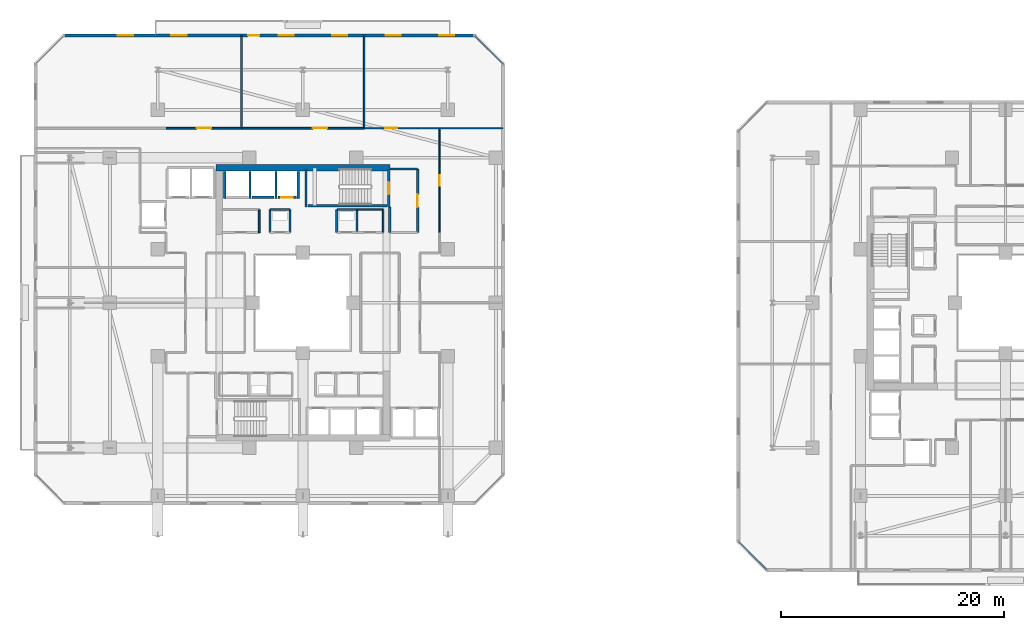
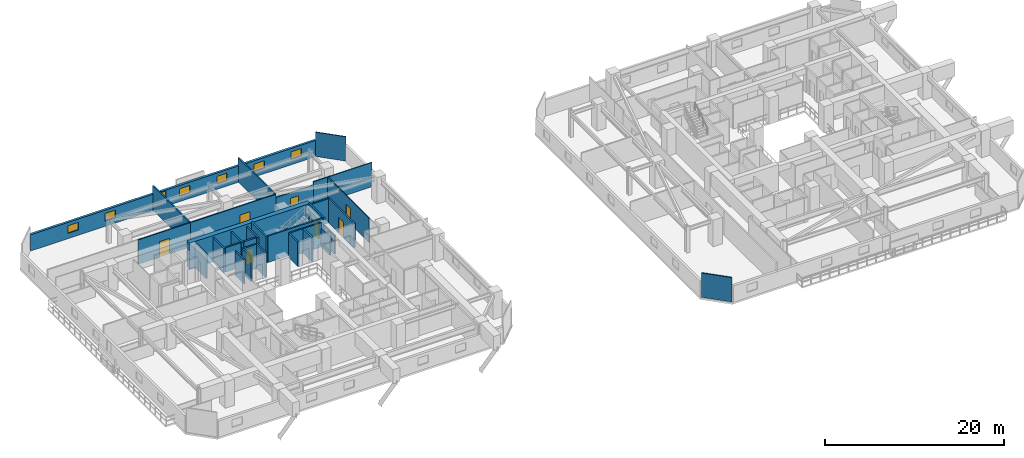
# One storey, part 24 of 36: 33 walls, 8 doors, 6 windows, 14 openings.
"""IFC4 building model written with IfcOpenShell, lengths in metres."""

import ifcopenshell
import ifcopenshell.guid

model = None  # the IFC model being written
_history = None  # IfcOwnerHistory: only IFC2X3 demands one
_inside = {}  # id of a spatial element -> (the spatial element, [elements in it])
_under = {}  # id of a project, library or spatial element -> (it, [spatial elements below it])
_declared = {}  # id of a project -> (the project, [libraries it declares])
_typed = {}  # id of a type object -> (the type object, [elements of that type])
_made_of = {}  # id of a material, layer set ... -> (it, [elements and type objects made of it])


def new_model(schema):
    """Start an empty IFC model of exactly this schema.

    Asked for "IFC4X3", IfcOpenShell would pick the latest addendum, in which some entities
    have other attributes; the version numbers below select the first issue.
    IFC2X3 requires an IfcOwnerHistory on every rooted entity: one is made here for all.
    """
    global model, _history
    if schema == "IFC4X3":
        model = ifcopenshell.file(schema_version=(4, 3, 0, 0))
    else:
        model = ifcopenshell.file(schema=schema)
    _inside.clear()
    _under.clear()
    _declared.clear()
    _typed.clear()
    _made_of.clear()
    _history = None
    if model.schema == "IFC2X3":
        org = make("IfcOrganization", Name="unknown")
        user = make(
            "IfcPersonAndOrganization",
            ThePerson=make("IfcPerson", FamilyName="unknown"),
            TheOrganization=org,
        )
        app = make(
            "IfcApplication",
            ApplicationDeveloper=org,
            Version="unknown",
            ApplicationFullName="unknown",
            ApplicationIdentifier="unknown",
        )
        _history = make(
            "IfcOwnerHistory",
            OwningUser=user,
            OwningApplication=app,
            ChangeAction="ADDED",
            CreationDate=0,
        )
    return model


def make(cls, **values):
    """One entity of the class cls with the attributes given. An attribute that is None is left unset."""
    return model.create_entity(
        cls, **{name: value for name, value in values.items() if value is not None}
    )


def rooted(cls, **values):
    """An entity with a GlobalId (a new one), such as an element, a storey or a relation."""
    return make(cls, GlobalId=ifcopenshell.guid.new(), OwnerHistory=_history, **values)


def si_unit(unit_type, name, prefix=None):
    """IfcSIUnit, for example si_unit("LENGTHUNIT", "METRE", prefix="MILLI")."""
    return make("IfcSIUnit", UnitType=unit_type, Prefix=prefix, Name=name)


def assignment(units):
    """IfcUnitAssignment: the units of a project."""
    return None if units is None else make("IfcUnitAssignment", Units=units)


def point(xyz):
    """IfcCartesianPoint."""
    return None if xyz is None else make("IfcCartesianPoint", Coordinates=xyz)


def direction(xyz):
    """IfcDirection."""
    return None if xyz is None else make("IfcDirection", DirectionRatios=xyz)


def frame(location, z_axis=None, x_axis=None):
    """IfcAxis2Placement3D, a coordinate frame: its origin and axes. An axis left out is left unset."""
    return make(
        "IfcAxis2Placement3D",
        Location=point(location),
        Axis=direction(z_axis),
        RefDirection=direction(x_axis),
    )


def frame_2d(location, x_axis=None):
    """IfcAxis2Placement2D, a coordinate frame in the plane: its origin and x axis."""
    return make(
        "IfcAxis2Placement2D", Location=point(location), RefDirection=direction(x_axis)
    )


def origin():
    """The frame at (0, 0, 0) with its axes left unset."""
    return frame((0.0, 0.0, 0.0))


def place(relative_to, where):
    """IfcLocalPlacement: puts the frame where relative to a parent placement (None: the world)."""
    return make(
        "IfcLocalPlacement", PlacementRelTo=relative_to, RelativePlacement=where
    )


def context(
    kind, dimensions, precision=None, world=None, true_north=None, identifier=None
):
    """IfcGeometricRepresentationContext, for example the 3D "Model" context."""
    return make(
        "IfcGeometricRepresentationContext",
        ContextIdentifier=identifier,
        ContextType=kind,
        CoordinateSpaceDimension=dimensions,
        Precision=precision,
        WorldCoordinateSystem=world,
        TrueNorth=true_north,
    )


def subcontext(parent, identifier, kind, view, scale=None):
    """IfcGeometricRepresentationSubContext, for example "Body" below "Model"."""
    return make(
        "IfcGeometricRepresentationSubContext",
        ContextIdentifier=identifier,
        ContextType=kind,
        ParentContext=parent,
        TargetScale=scale,
        TargetView=view,
    )


def project(units=None, contexts=None):
    """IfcProject with its units and contexts."""
    return rooted(
        "IfcProject",
        Name="project",
        RepresentationContexts=contexts,
        UnitsInContext=assignment(units),
    )


def spatial(cls, under=None, at=None, **own):
    """A site, building, storey or space (cls), placed at a placement, below another one or the project."""
    s = rooted(cls, ObjectPlacement=at, **own)
    if under is not None:
        _under.setdefault(under.id(), (under, []))[1].append(s)
    return s


def profile(cls, at=None, kind="AREA", **sizes):
    """A parametric profile (cls). Its sizes go by their IFC names, for example OverallWidth=200.0."""
    return make(cls, ProfileType=kind, Position=at, **sizes)


def rectangle(**sizes):
    """IfcRectangleProfileDef."""
    return profile("IfcRectangleProfileDef", **sizes)


def extrude(swept, where, along, depth):
    """IfcExtrudedAreaSolid: the profile swept, set in the frame where, extruded along a direction by depth."""
    return make(
        "IfcExtrudedAreaSolid",
        SweptArea=swept,
        Position=where,
        ExtrudedDirection=direction(along),
        Depth=depth,
    )


def shape(context_of_items, identifier, shape_type, items):
    """IfcShapeRepresentation: the items that make up one representation, for example the "Body"."""
    return make(
        "IfcShapeRepresentation",
        ContextOfItems=context_of_items,
        RepresentationIdentifier=identifier,
        RepresentationType=shape_type,
        Items=items,
    )


def material(Name=None, Category=None):
    """IfcMaterial."""
    return make("IfcMaterial", Name=Name, Category=Category)


def layer(
    of_material, thickness, ventilated=None, Name=None, Category=None, Priority=None
):
    """IfcMaterialLayer: one layer of a wall or slab, of a material (None: an air gap)."""
    return make(
        "IfcMaterialLayer",
        Material=of_material,
        LayerThickness=thickness,
        IsVentilated=ventilated,
        Name=Name,
        Category=Category,
        Priority=Priority,
    )


def layer_set(layers, Name=None):
    """IfcMaterialLayerSet."""
    return make("IfcMaterialLayerSet", MaterialLayers=layers, LayerSetName=Name)


def made_of(thing, what):
    """Note that an element or type object is made of a material, layer set ...; save() writes the relation."""
    if what is not None:
        _made_of.setdefault(what.id(), (what, []))[1].append(thing)
    return thing


def type_object(cls, material=None, **own):
    """A type object (cls), such as IfcWallType, which elements share."""
    return made_of(rooted(cls, **own), material)


def element(
    cls,
    number,
    at=None,
    inside=None,
    cuts=None,
    type_object=None,
    material=None,
    context=None,
    identifier="Body",
    shape_type=None,
    held_by="IfcProductDefinitionShape",
    body=None,
    shapes=None,
    **own,
):
    """One element of the class cls, such as IfcWall. Its Tag is "e" and its number.

    at: its placement. inside: the storey or other place that contains it. cuts: it is an
    opening in that element (IfcRelVoidsElement). A single representation is given by context,
    identifier, shape_type and body (its items); several are given by shapes. held_by: the class
    of the entity that holds the representations. save() writes the other relations.
    """
    e = rooted(cls, Tag="e%d" % number, ObjectPlacement=at, **own)
    if body is not None:
        shapes = [shape(context, identifier, shape_type, body)]
    if shapes is not None:
        e.Representation = make(held_by, Representations=shapes)
    if inside is not None:
        _inside.setdefault(inside.id(), (inside, []))[1].append(e)
    if cuts is not None:
        rooted(
            "IfcRelVoidsElement", RelatingBuildingElement=cuts, RelatedOpeningElement=e
        )
    if type_object is not None:
        _typed.setdefault(type_object.id(), (type_object, []))[1].append(e)
    return made_of(e, material)


def fill(opening, filler):
    """IfcRelFillsElement: the door or window that sits in an opening."""
    return rooted(
        "IfcRelFillsElement",
        RelatingOpeningElement=opening,
        RelatedBuildingElement=filler,
    )


def aggregate(whole, parts):
    """IfcRelAggregates: a whole, such as a stair, and the parts it consists of."""
    return rooted("IfcRelAggregates", RelatingObject=whole, RelatedObjects=parts)


def save(model, path):
    """Write the relations noted so far, then the file.

    IfcRelAggregates (storeys below a building ...), IfcRelContainedInSpatialStructure (elements
    in a storey), IfcRelDefinesByType, IfcRelAssociatesMaterial and IfcRelDeclares: one each for
    every whole, place, type object, material and project.
    """
    for whole, parts in _under.values():
        aggregate(whole, parts)
    for where, things in _inside.values():
        rooted(
            "IfcRelContainedInSpatialStructure",
            RelatedElements=things,
            RelatingStructure=where,
        )
    for kind, things in _typed.values():
        rooted("IfcRelDefinesByType", RelatedObjects=things, RelatingType=kind)
    for what, things in _made_of.values():
        rooted("IfcRelAssociatesMaterial", RelatedObjects=things, RelatingMaterial=what)
    for by, libraries in _declared.values():
        rooted("IfcRelDeclares", RelatingContext=by, RelatedDefinitions=libraries)
    model.write(path)


model = new_model("IFC4")

# Units and contexts
model_context = context("Model", 3, precision=1e-05, world=origin(), true_north=direction((0.0, 1.0)))
body_context = subcontext(model_context, "Body", "Model", "MODEL_VIEW")
ifc_project = project(units=[si_unit("LENGTHUNIT", "METRE"), si_unit("AREAUNIT", "SQUARE_METRE"), si_unit("VOLUMEUNIT", "CUBIC_METRE"), si_unit("PLANEANGLEUNIT", "RADIAN"), si_unit("MASSUNIT", "GRAM", prefix="KILO")], contexts=[model_context])

# Site, building, storey
site_placement = place(None, origin())
site = spatial("IfcSite", under=ifc_project, at=site_placement, CompositionType="ELEMENT")
building_placement = place(site_placement, origin())
building = spatial("IfcBuilding", under=site, at=building_placement, Name="Thornwick Lancets Civic Towers", CompositionType="ELEMENT")
storey_placement = place(building_placement, frame((0.0, 0.0, 116.10009765625)))
storey = spatial("IfcBuildingStorey", under=building, at=storey_placement, Name="L30", CompositionType="ELEMENT", Elevation=116.10009765625)

# Wall, opening, door
ifc_material_1 = material(Name="Concrete blockwork C40/50", Category="masonry")
ifc_layer_1 = layer(ifc_material_1, 0.199951171875, Name="Concrete blockwork C40/50")
ifc_layer_set_1 = layer_set([ifc_layer_1], Name="Concrete blockwork C40/50")
wall_type_1 = type_object("IfcWallType", Name="WALL_COMP_200", PredefinedType="STANDARD", material=ifc_layer_set_1)
wall_1_placement = place(storey_placement, frame((24.919921875, 36.449951171875, 0.0), z_axis=(0.0, 0.0, 1.0), x_axis=(-1.0, 0.0, 0.0)))
wall_1 = element("IfcWall", 1, at=wall_1_placement, inside=storey, type_object=wall_type_1, Name="L30 Hoistway Front Wall FL-A2", PredefinedType="STANDARD", context=body_context, shape_type="SweptSolid", body=[
    extrude(rectangle(XDim=1.639892578125, YDim=0.199951171875, at=frame_2d((0.81982421875, 0.0))), origin(), (0.0, 0.0, 1.0), 3.31982421875),
])
opening_1_placement = place(wall_1_placement, frame((0.31005859375, 0.0, 0.0)))
opening_1 = element("IfcOpeningElement", 2, at=opening_1_placement, cuts=wall_1, Name="Opening LD-FL-A2", PredefinedType="OPENING", context=body_context, shape_type="SweptSolid", body=[
    extrude(rectangle(XDim=1.02001953125, YDim=2.06005859375, at=frame_2d((0.510009765625, 1.030029296875))), frame((0.0, 0.10986328125, 0.0), z_axis=(0.0, -1.0, 0.0), x_axis=(1.0, 0.0, 0.0)), (0.0, 0.0, 1.0), 0.219970703125),
])
ifc_material_2 = material(Name="Brushed bronze stainless steel", Category="steel")
door_type_1 = type_object("IfcDoorType", Name="DOOR_LIFT_SLIDE", OperationType="SLIDING_TO_LEFT", PredefinedType="DOOR", material=ifc_material_2)
door_1_placement = place(opening_1_placement, origin())
door_1 = element("IfcDoor", 3, at=door_1_placement, inside=storey, type_object=door_type_1, Name="L30 Sliding Lift Landing Door LD-FL-A2", OperationType="SLIDING_TO_LEFT", OverallHeight=2.06005859375, OverallWidth=1.02001953125, PredefinedType="DOOR", context=body_context, shape_type="SweptSolid", body=[
    extrude(rectangle(XDim=1.02001953125, YDim=2.06005859375, at=frame_2d((0.510009765625, 1.030029296875))), frame((0.0, 0.02490234375, 0.0), z_axis=(0.0, -1.0, 0.0), x_axis=(1.0, 0.0, 0.0)), (0.0, 0.0, 1.0), 0.050048828125),
])
fill(opening_1, door_1)

# Walls
wall_2_placement = place(storey_placement, frame((22.919921875, 36.449951171875, 0.0), z_axis=(0.0, 0.0, 1.0), x_axis=(-1.0, 0.0, 0.0)))
element("IfcWall", 4, at=wall_2_placement, inside=storey, type_object=wall_type_1, Name="L30 Hoistway Front Wall PL-AH2", PredefinedType="STANDARD", context=body_context, shape_type="SweptSolid", body=[
    extrude(rectangle(XDim=1.989990234375, YDim=0.199951171875, at=frame_2d((0.9951171875, 0.0))), origin(), (0.0, 0.0, 1.0), 3.31982421875),
])
for number, where, z_axis, x_axis, name in (
    (5, (25.10009765625, 36.35205078125, 0.0), (0.0, 0.0, 1.0), (0.0, 1.0, 0.0), "L30 Hoistway Shaft Wall FL-A2 E"),
    (6, (23.10009765625, 36.35205078125, 0.0), (0.0, 0.0, 1.0), (0.0, 1.0, 0.0), "L30 Hoistway Shaft Wall FL-A2 W"),
    (7, (20.77490234375, 36.35205078125, 0.0), (0.0, 0.0, 1.0), (0.0, 1.0, 0.0), "L30 Hoistway Shaft Wall PL-AH2 W"),
    (8, (18.5, 36.35205078125, 0.0), (0.0, 0.0, 1.0), (0.0, 1.0, 0.0), "L30 Hoistway Shaft Wall PL-AH3 W"),
):
    element("IfcWall", number, at=place(storey_placement, frame(where, z_axis=z_axis, x_axis=x_axis)), inside=storey, type_object=wall_type_1, Name=name, PredefinedType="STANDARD", context=body_context, shape_type="SweptSolid", body=[
        extrude(rectangle(XDim=2.43603515625, YDim=0.199951171875, at=frame_2d((1.218017578125, 0.0))), origin(), (0.0, 0.0, 1.0), 3.31982421875),
    ])

# Wall, opening, door
wall_3_placement = place(storey_placement, frame((35.800048828125, 33.300048828125, 0.0), z_axis=(0.0, 0.0, 1.0), x_axis=(0.0, 1.0, 0.0)))
wall_3 = element("IfcWall", 9, at=wall_3_placement, inside=storey, type_object=wall_type_1, Name="L30 Partition L30-A-FFLOB2 E2", PredefinedType="STANDARD", context=body_context, shape_type="SweptSolid", body=[
    extrude(rectangle(XDim=5.699951171875, YDim=0.199951171875, at=frame_2d((2.85009765625, 0.0))), origin(), (0.0, 0.0, 1.0), 3.31982421875),
])
opening_2_placement = place(wall_3_placement, frame((2.27490234375, 0.0, 0.0)))
opening_2 = element("IfcOpeningElement", 10, at=opening_2_placement, cuts=wall_3, Name="Opening D-L30-1370", PredefinedType="OPENING", context=body_context, shape_type="SweptSolid", body=[
    extrude(rectangle(XDim=1.14990234375, YDim=2.10009765625, at=frame_2d((0.574951171875, 1.050048828125))), frame((0.0, 0.10986328125, 0.0), z_axis=(0.0, -1.0, 0.0), x_axis=(1.0, 0.0, 0.0)), (0.0, 0.0, 1.0), 0.219970703125),
])
ifc_material_3 = material(Name="Glazed fire-resisting steel", Category="steel")
door_type_2 = type_object("IfcDoorType", Name="DOOR_LOBBY_FD60", OperationType="NOTDEFINED", PredefinedType="DOOR", material=ifc_material_3)
door_2_placement = place(opening_2_placement, origin())
door_2 = element("IfcDoor", 11, at=door_2_placement, inside=storey, type_object=door_type_2, Name="L30 North Firefighting Lobby 2 Door", OperationType="SINGLE_SWING_LEFT", OverallHeight=2.10009765625, OverallWidth=1.14990234375, PredefinedType="DOOR", context=body_context, shape_type="SweptSolid", body=[
    extrude(rectangle(XDim=1.14990234375, YDim=2.10009765625, at=frame_2d((0.574951171875, 1.050048828125))), frame((0.0, 0.02490234375, 0.0), z_axis=(0.0, -1.0, 0.0), x_axis=(1.0, 0.0, 0.0)), (0.0, 0.0, 1.0), 0.050048828125),
])
fill(opening_2, door_2)

# Walls
wall_4_placement = place(storey_placement, frame((35.800048828125, 39.0, 0.0), z_axis=(0.0, 0.0, 1.0), x_axis=(-1.0, 0.0, 0.0)))
element("IfcWall", 12, at=wall_4_placement, inside=storey, type_object=wall_type_1, Name="L30 Partition L30-A-FFLOB2 E3", PredefinedType="STANDARD", context=body_context, shape_type="SweptSolid", body=[
    extrude(rectangle(XDim=2.5, YDim=0.199951171875, at=frame_2d((1.25, 0.0))), origin(), (0.0, 0.0, 1.0), 3.31982421875),
])
wall_5_placement = place(storey_placement, frame((33.300048828125, 35.60009765625, 0.0), z_axis=(0.0, 0.0, 1.0), x_axis=(0.0, -1.0, 0.0)))
element("IfcWall", 13, at=wall_5_placement, inside=storey, type_object=wall_type_1, Name="L30 Partition L30-A-FFLOB2 E4", PredefinedType="STANDARD", context=body_context, shape_type="SweptSolid", body=[
    extrude(rectangle(XDim=2.300048828125, YDim=0.199951171875, at=frame_2d((1.14990234375, 0.0))), origin(), (0.0, 0.0, 1.0), 2.52490234375),
])
wall_6_placement = place(storey_placement, frame((24.35009765625, 33.300048828125, 0.0), z_axis=(0.0, 0.0, 1.0), x_axis=(0.0, 1.0, 0.0)))
element("IfcWall", 14, at=wall_6_placement, inside=storey, type_object=wall_type_1, Name="L30 Partition L30-A-DUCT2 E2", PredefinedType="STANDARD", context=body_context, shape_type="SweptSolid", body=[
    extrude(rectangle(XDim=2.050048828125, YDim=0.199951171875, at=frame_2d((1.02490234375, 0.0))), origin(), (0.0, 0.0, 1.0), 3.31982421875),
])
wall_7_placement = place(storey_placement, frame((24.35009765625, 35.35009765625, 0.0), z_axis=(0.0, 0.0, 1.0), x_axis=(-1.0, 0.0, 0.0)))
element("IfcWall", 15, at=wall_7_placement, inside=storey, type_object=wall_type_1, Name="L30 Partition L30-A-DUCT2 E3", PredefinedType="STANDARD", context=body_context, shape_type="SweptSolid", body=[
    extrude(rectangle(XDim=1.800048828125, YDim=0.199951171875, at=frame_2d((0.89990234375, 0.0))), origin(), (0.0, 0.0, 1.0), 3.31982421875),
])
for number, where, z_axis, x_axis, name in (
    (16, (22.550048828125, 35.35009765625, 0.0), (0.0, 0.0, 1.0), (0.0, -1.0, 0.0), "L30 Partition L30-A-DUCT2 E4"),
    (17, (30.35009765625, 33.300048828125, 0.0), (0.0, 0.0, 1.0), (0.0, 1.0, 0.0), "L30 Partition L30-A-RISER2 E2"),
):
    element("IfcWall", number, at=place(storey_placement, frame(where, z_axis=z_axis, x_axis=x_axis)), inside=storey, type_object=wall_type_1, Name=name, PredefinedType="STANDARD", context=body_context, shape_type="SweptSolid", body=[
        extrude(rectangle(XDim=2.050048828125, YDim=0.199951171875, at=frame_2d((1.02490234375, 0.0))), origin(), (0.0, 0.0, 1.0), 3.31982421875),
    ])
wall_8_placement = place(storey_placement, frame((30.35009765625, 35.35009765625, 0.0), z_axis=(0.0, 0.0, 1.0), x_axis=(-1.0, 0.0, 0.0)))
element("IfcWall", 18, at=wall_8_placement, inside=storey, type_object=wall_type_1, Name="L30 Partition L30-A-RISER2 E3", PredefinedType="STANDARD", context=body_context, shape_type="SweptSolid", body=[
    extrude(rectangle(XDim=1.800048828125, YDim=0.199951171875, at=frame_2d((0.89990234375, 0.0))), origin(), (0.0, 0.0, 1.0), 3.31982421875),
])
wall_9_placement = place(storey_placement, frame((28.550048828125, 35.35009765625, 0.0), z_axis=(0.0, 0.0, 1.0), x_axis=(0.0, -1.0, 0.0)))
element("IfcWall", 19, at=wall_9_placement, inside=storey, type_object=wall_type_1, Name="L30 Partition L30-A-RISER2 E4", PredefinedType="STANDARD", context=body_context, shape_type="SweptSolid", body=[
    extrude(rectangle(XDim=2.050048828125, YDim=0.199951171875, at=frame_2d((1.02490234375, 0.0))), origin(), (0.0, 0.0, 1.0), 3.31982421875),
])
ifc_material_4 = material(Name="Concrete C60/75", Category="concrete")
ifc_layer_2 = layer(ifc_material_4, 0.60009765625, Name="Concrete C60/75")
ifc_layer_set_2 = layer_set([ifc_layer_2], Name="Concrete C60/75")
wall_type_2 = type_object("IfcWallType", Name="WALL_CORE_600", PredefinedType="SHEAR", material=ifc_layer_set_2)
wall_10_placement = place(storey_placement, frame((17.699951171875, 39.10009765625, 0.0), z_axis=(0.0, 0.0, 1.0), x_axis=(1.0, 0.0, 0.0)))
element("IfcWall", 20, at=wall_10_placement, inside=storey, type_object=wall_type_2, Name="L30 Split Core A2 Shear Wall N", PredefinedType="SHEAR", context=body_context, shape_type="SweptSolid", body=[
    extrude(rectangle(XDim=15.60009765625, YDim=0.60009765625, at=frame_2d((7.800048828125, 0.0))), origin(), (0.0, 0.0, 1.0), 3.599853515625),
])

# Wall, openings, door, windows
ifc_material_5 = material(Name="Insulated russet terracotta rainscreen on concrete C40/50", Category="masonry")
ifc_layer_3 = layer(ifc_material_5, 0.300048828125, Name="Insulated russet terracotta rainscreen on concrete C40/50")
ifc_layer_set_3 = layer_set([ifc_layer_3], Name="Insulated russet terracotta rainscreen on concrete C40/50")
wall_type_3 = type_object("IfcWallType", Name="WALL_EXT_RUSSET_300", PredefinedType="STANDARD", material=ifc_layer_set_3)
wall_11_placement = place(storey_placement, frame((40.88134765625, 50.964599609375, 0.0), z_axis=(0.0, 0.0, 1.0), x_axis=(-1.0, 0.0, 0.0)))
wall_11 = element("IfcWall", 21, at=wall_11_placement, inside=storey, type_object=wall_type_3, Name="L30 Tower A Terracotta Facade Wall E4", PredefinedType="STANDARD", context=body_context, shape_type="SweptSolid", body=[
    extrude(rectangle(XDim=36.7626953125, YDim=0.300048828125, at=frame_2d((18.38134765625, 0.0))), origin(), (0.0, 0.0, 1.0), 2.219970703125),
])
opening_3_placement = place(wall_11_placement, frame((19.28125, 0.0, 0.0)))
opening_3 = element("IfcOpeningElement", 22, at=opening_3_placement, cuts=wall_11, Name="Opening D-BL-L30-AN", PredefinedType="OPENING", context=body_context, shape_type="SweptSolid", body=[
    extrude(rectangle(XDim=1.0, YDim=2.080078125, at=frame_2d((0.5, 1.0400390625))), frame((0.0, 0.16015625, 0.0), z_axis=(0.0, -1.0, 0.0), x_axis=(1.0, 0.0, 0.0)), (0.0, 0.0, 1.0), 0.320068359375),
])
opening_4_placement = place(wall_11_placement, frame((1.800048828125, 0.0, 0.719970703125)))
opening_4 = element("IfcOpeningElement", 23, at=opening_4_placement, cuts=wall_11, Name="Opening WL-03", PredefinedType="OPENING", context=body_context, shape_type="SweptSolid", body=[
    extrude(rectangle(XDim=1.35009765625, YDim=1.050048828125, at=frame_2d((0.675048828125, 0.52490234375))), frame((0.0, 0.16015625, 0.0), z_axis=(0.0, -1.0, 0.0), x_axis=(1.0, 0.0, 0.0)), (0.0, 0.0, 1.0), 0.320068359375),
])
opening_5_placement = place(wall_11_placement, frame((6.60009765625, 0.0, 0.719970703125)))
opening_5 = element("IfcOpeningElement", 24, at=opening_5_placement, cuts=wall_11, Name="Opening WL-03", PredefinedType="OPENING", context=body_context, shape_type="SweptSolid", body=[
    extrude(rectangle(XDim=1.35009765625, YDim=1.050048828125, at=frame_2d((0.675048828125, 0.52490234375))), frame((0.0, 0.16015625, 0.0), z_axis=(0.0, -1.0, 0.0), x_axis=(1.0, 0.0, 0.0)), (0.0, 0.0, 1.0), 0.320068359375),
])
opening_6_placement = place(wall_11_placement, frame((11.39990234375, 0.0, 0.719970703125)))
opening_6 = element("IfcOpeningElement", 25, at=opening_6_placement, cuts=wall_11, Name="Opening WL-03", PredefinedType="OPENING", context=body_context, shape_type="SweptSolid", body=[
    extrude(rectangle(XDim=1.35009765625, YDim=1.050048828125, at=frame_2d((0.675048828125, 0.52490234375))), frame((0.0, 0.16015625, 0.0), z_axis=(0.0, -1.0, 0.0), x_axis=(1.0, 0.0, 0.0)), (0.0, 0.0, 1.0), 0.320068359375),
])
opening_7_placement = place(wall_11_placement, frame((16.199951171875, 0.0, 0.719970703125)))
opening_7 = element("IfcOpeningElement", 26, at=opening_7_placement, cuts=wall_11, Name="Opening WL-03", PredefinedType="OPENING", context=body_context, shape_type="SweptSolid", body=[
    extrude(rectangle(XDim=1.35009765625, YDim=1.050048828125, at=frame_2d((0.675048828125, 0.52490234375))), frame((0.0, 0.16015625, 0.0), z_axis=(0.0, -1.0, 0.0), x_axis=(1.0, 0.0, 0.0)), (0.0, 0.0, 1.0), 0.320068359375),
])
opening_8_placement = place(wall_11_placement, frame((25.800048828125, 0.0, 0.719970703125)))
opening_8 = element("IfcOpeningElement", 27, at=opening_8_placement, cuts=wall_11, Name="Opening WL-03", PredefinedType="OPENING", context=body_context, shape_type="SweptSolid", body=[
    extrude(rectangle(XDim=1.35009765625, YDim=1.050048828125, at=frame_2d((0.675048828125, 0.52490234375))), frame((0.0, 0.16015625, 0.0), z_axis=(0.0, -1.0, 0.0), x_axis=(1.0, 0.0, 0.0)), (0.0, 0.0, 1.0), 0.320068359375),
])
opening_9_placement = place(wall_11_placement, frame((30.60009765625, 0.0, 0.719970703125)))
opening_9 = element("IfcOpeningElement", 28, at=opening_9_placement, cuts=wall_11, Name="Opening WL-03", PredefinedType="OPENING", context=body_context, shape_type="SweptSolid", body=[
    extrude(rectangle(XDim=1.35009765625, YDim=1.050048828125, at=frame_2d((0.675048828125, 0.52490234375))), frame((0.0, 0.16015625, 0.0), z_axis=(0.0, -1.0, 0.0), x_axis=(1.0, 0.0, 0.0)), (0.0, 0.0, 1.0), 0.320068359375),
])
ifc_material_6 = material(Name="Thermally broken glazed loggia doorset")
door_type_3 = type_object("IfcDoorType", Name="DOOR_BALC_1000", OperationType="NOTDEFINED", PredefinedType="DOOR", material=ifc_material_6)
door_3_placement = place(opening_3_placement, origin())
door_3 = element("IfcDoor", 29, at=door_3_placement, inside=storey, type_object=door_type_3, Name="L30 Tower A Loggia Balcony Door N", OperationType="SINGLE_SWING_LEFT", OverallHeight=2.080078125, OverallWidth=1.0, PredefinedType="DOOR", context=body_context, shape_type="SweptSolid", body=[
    extrude(rectangle(XDim=1.0, YDim=2.080078125, at=frame_2d((0.5, 1.0400390625))), frame((0.0, 0.02490234375, 0.0), z_axis=(0.0, -1.0, 0.0), x_axis=(1.0, 0.0, 0.0)), (0.0, 0.0, 1.0), 0.050048828125),
])
fill(opening_3, door_3)
ifc_material_7 = material(Name="Clear low-e double glazing clerestory lancet", Category="glass")
window_type = type_object("IfcWindowType", Name="WIN_LANCET_1350", PartitioningType="SINGLE_PANEL", PredefinedType="WINDOW", material=ifc_material_7)
window_1_placement = place(opening_4_placement, origin())
window_1 = element("IfcWindow", 30, at=window_1_placement, inside=storey, type_object=window_type, Name="L30 Tower A Staggered Lancet Window E4-1", OverallHeight=1.050048828125, OverallWidth=1.35009765625, PartitioningType="SINGLE_PANEL", PredefinedType="WINDOW", context=body_context, shape_type="SweptSolid", body=[
    extrude(rectangle(XDim=1.35009765625, YDim=1.050048828125, at=frame_2d((0.675048828125, 0.52490234375))), frame((0.0, 0.030029296875, 0.0), z_axis=(0.0, -1.0, 0.0), x_axis=(1.0, 0.0, 0.0)), (0.0, 0.0, 1.0), 0.06005859375),
])
fill(opening_4, window_1)
window_2_placement = place(opening_5_placement, origin())
window_2 = element("IfcWindow", 31, at=window_2_placement, inside=storey, type_object=window_type, Name="L30 Tower A Staggered Lancet Window E4-2", OverallHeight=1.050048828125, OverallWidth=1.35009765625, PartitioningType="SINGLE_PANEL", PredefinedType="WINDOW", context=body_context, shape_type="SweptSolid", body=[
    extrude(rectangle(XDim=1.35009765625, YDim=1.050048828125, at=frame_2d((0.675048828125, 0.52490234375))), frame((0.0, 0.030029296875, 0.0), z_axis=(0.0, -1.0, 0.0), x_axis=(1.0, 0.0, 0.0)), (0.0, 0.0, 1.0), 0.06005859375),
])
fill(opening_5, window_2)
window_3_placement = place(opening_6_placement, origin())
window_3 = element("IfcWindow", 32, at=window_3_placement, inside=storey, type_object=window_type, Name="L30 Tower A Staggered Lancet Window E4-3", OverallHeight=1.050048828125, OverallWidth=1.35009765625, PartitioningType="SINGLE_PANEL", PredefinedType="WINDOW", context=body_context, shape_type="SweptSolid", body=[
    extrude(rectangle(XDim=1.35009765625, YDim=1.050048828125, at=frame_2d((0.675048828125, 0.52490234375))), frame((0.0, 0.030029296875, 0.0), z_axis=(0.0, -1.0, 0.0), x_axis=(1.0, 0.0, 0.0)), (0.0, 0.0, 1.0), 0.06005859375),
])
fill(opening_6, window_3)
window_4_placement = place(opening_7_placement, origin())
window_4 = element("IfcWindow", 33, at=window_4_placement, inside=storey, type_object=window_type, Name="L30 Tower A Staggered Lancet Window E4-4", OverallHeight=1.050048828125, OverallWidth=1.35009765625, PartitioningType="SINGLE_PANEL", PredefinedType="WINDOW", context=body_context, shape_type="SweptSolid", body=[
    extrude(rectangle(XDim=1.35009765625, YDim=1.050048828125, at=frame_2d((0.675048828125, 0.52490234375))), frame((0.0, 0.030029296875, 0.0), z_axis=(0.0, -1.0, 0.0), x_axis=(1.0, 0.0, 0.0)), (0.0, 0.0, 1.0), 0.06005859375),
])
fill(opening_7, window_4)
window_5_placement = place(opening_8_placement, origin())
window_5 = element("IfcWindow", 34, at=window_5_placement, inside=storey, type_object=window_type, Name="L30 Tower A Staggered Lancet Window E4-5", OverallHeight=1.050048828125, OverallWidth=1.35009765625, PartitioningType="SINGLE_PANEL", PredefinedType="WINDOW", context=body_context, shape_type="SweptSolid", body=[
    extrude(rectangle(XDim=1.35009765625, YDim=1.050048828125, at=frame_2d((0.675048828125, 0.52490234375))), frame((0.0, 0.030029296875, 0.0), z_axis=(0.0, -1.0, 0.0), x_axis=(1.0, 0.0, 0.0)), (0.0, 0.0, 1.0), 0.06005859375),
])
fill(opening_8, window_5)
window_6_placement = place(opening_9_placement, origin())
window_6 = element("IfcWindow", 35, at=window_6_placement, inside=storey, type_object=window_type, Name="L30 Tower A Staggered Lancet Window E4-6", OverallHeight=1.050048828125, OverallWidth=1.35009765625, PartitioningType="SINGLE_PANEL", PredefinedType="WINDOW", context=body_context, shape_type="SweptSolid", body=[
    extrude(rectangle(XDim=1.35009765625, YDim=1.050048828125, at=frame_2d((0.675048828125, 0.52490234375))), frame((0.0, 0.030029296875, 0.0), z_axis=(0.0, -1.0, 0.0), x_axis=(1.0, 0.0, 0.0)), (0.0, 0.0, 1.0), 0.06005859375),
])
fill(opening_9, window_6)

# Wall, opening, door
ifc_material_8 = material(Name="Acoustic gypsum board partition")
ifc_layer_4 = layer(ifc_material_8, 0.1201171875, Name="Acoustic gypsum board partition")
ifc_layer_set_4 = layer_set([ifc_layer_4], Name="Acoustic gypsum board partition")
wall_type_4 = type_object("IfcWallType", Name="WALL_PART_120", PredefinedType="PARTITIONING", material=ifc_layer_set_4)
wall_12_placement = place(storey_placement, frame((37.75, 33.300048828125, 0.0), z_axis=(0.0, 0.0, 1.0), x_axis=(0.0, 1.0, 0.0)))
wall_12 = element("IfcWall", 36, at=wall_12_placement, inside=storey, type_object=wall_type_4, Name="L30 Partition L30-A-E3 E3", PredefinedType="PARTITIONING", context=body_context, shape_type="SweptSolid", body=[
    extrude(rectangle(XDim=9.349853515625, YDim=0.1201171875, at=frame_2d((4.6748046875, 0.0))), origin(), (0.0, 0.0, 1.0), 3.31982421875),
])
opening_10_placement = place(wall_12_placement, frame((4.199951171875, 0.0, 0.0)))
opening_10 = element("IfcOpeningElement", 37, at=opening_10_placement, cuts=wall_12, Name="Opening D-L30-1398", PredefinedType="OPENING", context=body_context, shape_type="SweptSolid", body=[
    extrude(rectangle(XDim=0.949951171875, YDim=2.10009765625, at=frame_2d((0.47509765625, 1.050048828125))), frame((0.0, 0.070068359375, 0.0), z_axis=(0.0, -1.0, 0.0), x_axis=(1.0, 0.0, 0.0)), (0.0, 0.0, 1.0), 0.14013671875),
])
ifc_material_9 = material(Name="European oak acoustic doorset")
door_type_4 = type_object("IfcDoorType", Name="DOOR_OFFICE_950", OperationType="NOTDEFINED", PredefinedType="DOOR", material=ifc_material_9)
door_4_placement = place(opening_10_placement, origin())
door_4 = element("IfcDoor", 38, at=door_4_placement, inside=storey, type_object=door_type_4, Name="L30 Tower A Civic Seminar Room Door", OperationType="SINGLE_SWING_LEFT", OverallHeight=2.10009765625, OverallWidth=0.949951171875, PredefinedType="DOOR", context=body_context, shape_type="SweptSolid", body=[
    extrude(rectangle(XDim=0.949951171875, YDim=2.10009765625, at=frame_2d((0.47509765625, 1.050048828125))), frame((0.0, 0.02490234375, 0.0), z_axis=(0.0, -1.0, 0.0), x_axis=(1.0, 0.0, 0.0)), (0.0, 0.0, 1.0), 0.050048828125),
])
fill(opening_10, door_4)

# Walls
wall_13_placement = place(storey_placement, frame((37.75, 42.64990234375, 0.0), z_axis=(0.0, 0.0, 1.0), x_axis=(1.0, 0.0, 0.0)))
element("IfcWall", 39, at=wall_13_placement, inside=storey, type_object=wall_type_4, Name="L30 Partition L30-A-E3 E4", PredefinedType="PARTITIONING", context=body_context, shape_type="SweptSolid", body=[
    extrude(rectangle(XDim=5.669921875, YDim=0.1201171875, at=frame_2d((2.8349609375, 0.0))), origin(), (0.0, 0.0, 1.0), 3.31982421875),
])
wall_14_placement = place(storey_placement, frame((37.75, 42.64990234375, 0.0), z_axis=(0.0, 0.0, 1.0), x_axis=(-1.0, 0.0, 0.0)))
element("IfcWall", 40, at=wall_14_placement, inside=storey, type_object=wall_type_4, Name="L30 Partition L30-A-N-OFF E1", PredefinedType="PARTITIONING", context=body_context, shape_type="SweptSolid", body=[
    extrude(rectangle(XDim=1.89990234375, YDim=0.1201171875, at=frame_2d((0.949951171875, 0.0))), origin(), (0.0, 0.0, 1.0), 3.31982421875),
])

# Wall, opening, door
wall_15_placement = place(storey_placement, frame((35.85009765625, 42.64990234375, 0.0), z_axis=(0.0, 0.0, 1.0), x_axis=(-1.0, 0.0, 0.0)))
wall_15 = element("IfcWall", 41, at=wall_15_placement, inside=storey, type_object=wall_type_4, Name="L30 Partition L30-A-N-OFF E2", PredefinedType="PARTITIONING", context=body_context, shape_type="SweptSolid", body=[
    extrude(rectangle(XDim=4.85009765625, YDim=0.1201171875, at=frame_2d((2.425048828125, 0.0))), origin(), (0.0, 0.0, 1.0), 2.875),
])
opening_11_placement = place(wall_15_placement, frame((1.89990234375, 0.0, 0.0)))
opening_11 = element("IfcOpeningElement", 42, at=opening_11_placement, cuts=wall_15, Name="Opening D-L30-1403", PredefinedType="OPENING", context=body_context, shape_type="SweptSolid", body=[
    extrude(rectangle(XDim=1.050048828125, YDim=2.10009765625, at=frame_2d((0.52490234375, 1.050048828125))), frame((0.0, 0.070068359375, 0.0), z_axis=(0.0, -1.0, 0.0), x_axis=(1.0, 0.0, 0.0)), (0.0, 0.0, 1.0), 0.14013671875),
])
ifc_material_10 = material(Name="Glazed European oak executive doorset")
door_type_5 = type_object("IfcDoorType", Name="DOOR_OFFICE_1050", OperationType="NOTDEFINED", PredefinedType="DOOR", material=ifc_material_10)
door_5_placement = place(opening_11_placement, origin())
door_5 = element("IfcDoor", 43, at=door_5_placement, inside=storey, type_object=door_type_5, Name="L30 Tower A North-East Policy Office Door", OperationType="SINGLE_SWING_RIGHT", OverallHeight=2.10009765625, OverallWidth=1.050048828125, PredefinedType="DOOR", context=body_context, shape_type="SweptSolid", body=[
    extrude(rectangle(XDim=1.050048828125, YDim=2.10009765625, at=frame_2d((0.52490234375, 1.050048828125))), frame((0.0, 0.02490234375, 0.0), z_axis=(0.0, -1.0, 0.0), x_axis=(1.0, 0.0, 0.0)), (0.0, 0.0, 1.0), 0.050048828125),
])
fill(opening_11, door_5)

# Walls
wall_16_placement = place(storey_placement, frame((40.92529296875, 50.919921875, 0.0), z_axis=(0.0, 0.0, 1.0), x_axis=(0.707106781187, -0.707106781187, 0.0)))
element("IfcWall", 44, at=wall_16_placement, inside=storey, type_object=wall_type_4, Name="L30 Partition L30-A-N-OFF E5", PredefinedType="PARTITIONING", context=body_context, shape_type="SweptSolid", body=[
    extrude(rectangle(XDim=3.52783203125, YDim=0.1201171875, at=frame_2d((1.763916015625, 0.0))), origin(), (0.0, 0.0, 1.0), 3.31982421875),
])
ifc_material_11 = material(Name="Twin-stud acoustic gypsum board")
ifc_layer_5 = layer(ifc_material_11, 0.14990234375, Name="Twin-stud acoustic gypsum board")
ifc_layer_set_5 = layer_set([ifc_layer_5], Name="Twin-stud acoustic gypsum board")
wall_type_5 = type_object("IfcWallType", Name="WALL_PART_150", PredefinedType="PARTITIONING", material=ifc_layer_set_5)
wall_17_placement = place(storey_placement, frame((21.60009765625, 33.300048828125, 0.0), z_axis=(0.0, 0.0, 1.0), x_axis=(0.0, 1.0, 0.0)))
element("IfcWall", 45, at=wall_17_placement, inside=storey, type_object=wall_type_5, Name="L30 Partition L30-A-MWC E2", PredefinedType="PARTITIONING", context=body_context, shape_type="SweptSolid", body=[
    extrude(rectangle(XDim=2.050048828125, YDim=0.14990234375, at=frame_2d((1.02490234375, 0.0))), origin(), (0.0, 0.0, 1.0), 3.31982421875),
])
wall_18_placement = place(storey_placement, frame((32.699951171875, 35.35009765625, 0.0), z_axis=(0.0, 0.0, 1.0), x_axis=(0.0, -1.0, 0.0)))
element("IfcWall", 46, at=wall_18_placement, inside=storey, type_object=wall_type_5, Name="L30 Partition L30-A-FWC E1", PredefinedType="PARTITIONING", context=body_context, shape_type="SweptSolid", body=[
    extrude(rectangle(XDim=2.050048828125, YDim=0.14990234375, at=frame_2d((1.02490234375, 0.0))), origin(), (0.0, 0.0, 1.0), 2.52490234375),
])
wall_19_placement = place(storey_placement, frame((30.35009765625, 35.35009765625, 0.0), z_axis=(0.0, 0.0, 1.0), x_axis=(1.0, 0.0, 0.0)))
element("IfcWall", 47, at=wall_19_placement, inside=storey, type_object=wall_type_5, Name="L30 Partition L30-A-FWC E4", PredefinedType="PARTITIONING", context=body_context, shape_type="SweptSolid", body=[
    extrude(rectangle(XDim=2.349853515625, YDim=0.14990234375, at=frame_2d((1.1748046875, 0.0))), origin(), (0.0, 0.0, 1.0), 3.31982421875),
])
wall_20_placement = place(storey_placement, frame((20.0, 50.919921875, 0.0), z_axis=(0.0, 0.0, 1.0), x_axis=(0.0, -1.0, 0.0)))
element("IfcWall", 48, at=wall_20_placement, inside=storey, type_object=wall_type_5, Name="L30 Partition L30-A-N-CONF E5", PredefinedType="PARTITIONING", context=body_context, shape_type="SweptSolid", body=[
    extrude(rectangle(XDim=8.27001953125, YDim=0.14990234375, at=frame_2d((4.135009765625, 0.0))), origin(), (0.0, 0.0, 1.0), 3.31982421875),
])

# Wall, opening, door
wall_21_placement = place(storey_placement, frame((20.0, 42.64990234375, 0.0), z_axis=(0.0, 0.0, 1.0), x_axis=(-1.0, 0.0, 0.0)))
wall_21 = element("IfcWall", 49, at=wall_21_placement, inside=storey, type_object=wall_type_5, Name="L30 Partition L30-A-N-CONF E6", PredefinedType="PARTITIONING", context=body_context, shape_type="SweptSolid", body=[
    extrude(rectangle(XDim=6.75, YDim=0.14990234375, at=frame_2d((3.375, 0.0))), origin(), (0.0, 0.0, 1.0), 3.31982421875),
])
opening_12_placement = place(wall_21_placement, frame((2.72509765625, 0.0, 0.0)))
opening_12 = element("IfcOpeningElement", 50, at=opening_12_placement, cuts=wall_21, Name="Opening D-L30-1401", PredefinedType="OPENING", context=body_context, shape_type="SweptSolid", body=[
    extrude(rectangle(XDim=1.300048828125, YDim=2.1201171875, at=frame_2d((0.64990234375, 1.06005859375))), frame((0.0, 0.0849609375, 0.0), z_axis=(0.0, -1.0, 0.0), x_axis=(1.0, 0.0, 0.0)), (0.0, 0.0, 1.0), 0.169921875),
])
ifc_material_12 = material(Name="Acoustic oak leaf-and-a-half doorset")
door_type_6 = type_object("IfcDoorType", Name="DOOR_MEET_1300", OperationType="DOUBLE_DOOR_SINGLE_SWING", PredefinedType="DOOR", material=ifc_material_12)
door_6_placement = place(opening_12_placement, origin())
door_6 = element("IfcDoor", 51, at=door_6_placement, inside=storey, type_object=door_type_6, Name="L30 Tower A North-West Conference Room Door", OperationType="DOUBLE_DOOR_SINGLE_SWING", OverallHeight=2.1201171875, OverallWidth=1.300048828125, PredefinedType="DOOR", context=body_context, shape_type="SweptSolid", body=[
    extrude(rectangle(XDim=1.300048828125, YDim=2.1201171875, at=frame_2d((0.64990234375, 1.06005859375))), frame((0.0, 0.02490234375, 0.0), z_axis=(0.0, -1.0, 0.0), x_axis=(1.0, 0.0, 0.0)), (0.0, 0.0, 1.0), 0.050048828125),
])
fill(opening_12, door_6)

# Wall
wall_22_placement = place(storey_placement, frame((31.0, 50.919921875, 0.0), z_axis=(0.0, 0.0, 1.0), x_axis=(0.0, -1.0, 0.0)))
element("IfcWall", 52, at=wall_22_placement, inside=storey, type_object=wall_type_5, Name="L30 Partition L30-A-N-MEET E3", PredefinedType="PARTITIONING", context=body_context, shape_type="SweptSolid", body=[
    extrude(rectangle(XDim=8.27001953125, YDim=0.14990234375, at=frame_2d((4.135009765625, 0.0))), origin(), (0.0, 0.0, 1.0), 3.31982421875),
])

# Wall, opening, door
wall_23_placement = place(storey_placement, frame((31.0, 42.64990234375, 0.0), z_axis=(0.0, 0.0, 1.0), x_axis=(-1.0, 0.0, 0.0)))
wall_23 = element("IfcWall", 53, at=wall_23_placement, inside=storey, type_object=wall_type_5, Name="L30 Partition L30-A-N-MEET E4", PredefinedType="PARTITIONING", context=body_context, shape_type="SweptSolid", body=[
    extrude(rectangle(XDim=11.0, YDim=0.14990234375, at=frame_2d((5.5, 0.0))), origin(), (0.0, 0.0, 1.0), 3.31982421875),
])
opening_13_placement = place(wall_23_placement, frame((3.31005859375, 0.0, 0.0)))
opening_13 = element("IfcOpeningElement", 54, at=opening_13_placement, cuts=wall_23, Name="Opening D-L30-1402", PredefinedType="OPENING", context=body_context, shape_type="SweptSolid", body=[
    extrude(rectangle(XDim=1.300048828125, YDim=2.1201171875, at=frame_2d((0.64990234375, 1.06005859375))), frame((0.0, 0.0849609375, 0.0), z_axis=(0.0, -1.0, 0.0), x_axis=(1.0, 0.0, 0.0)), (0.0, 0.0, 1.0), 0.169921875),
])
door_7_placement = place(opening_13_placement, origin())
door_7 = element("IfcDoor", 55, at=door_7_placement, inside=storey, type_object=door_type_6, Name="L30 Tower A North Briefing Chamber Door", OperationType="DOUBLE_DOOR_SINGLE_SWING", OverallHeight=2.1201171875, OverallWidth=1.300048828125, PredefinedType="DOOR", context=body_context, shape_type="SweptSolid", body=[
    extrude(rectangle(XDim=1.300048828125, YDim=2.1201171875, at=frame_2d((0.64990234375, 1.06005859375))), frame((0.0, 0.02490234375, 0.0), z_axis=(0.0, -1.0, 0.0), x_axis=(1.0, 0.0, 0.0)), (0.0, 0.0, 1.0), 0.050048828125),
])
fill(opening_13, door_7)

# Wall
wall_24_placement = place(storey_placement, frame((67.07470703125, 3.080078125, 0.0), z_axis=(0.0, 0.0, 1.0), x_axis=(-0.707106781187, 0.707106781187, 0.0)))
element("IfcWall", 56, at=wall_24_placement, inside=storey, type_object=wall_type_5, Name="L30 Partition L30-B-N-CONF E3", PredefinedType="PARTITIONING", context=body_context, shape_type="SweptSolid", body=[
    extrude(rectangle(XDim=3.52783203125, YDim=0.14990234375, at=frame_2d((1.763916015625, 0.0))), origin(), (0.0, 0.0, 1.0), 3.31982421875),
])

# Wall, opening, door
ifc_material_13 = material(Name="Concrete C40/50", Category="concrete")
ifc_layer_6 = layer(ifc_material_13, 0.199951171875, Name="Concrete C40/50")
ifc_layer_set_6 = layer_set([ifc_layer_6], Name="Concrete C40/50")
wall_type_6 = type_object("IfcWallType", Name="WALL_SHAFT_200", PredefinedType="SHEAR", material=ifc_layer_set_6)
wall_25_placement = place(storey_placement, frame((33.199951171875, 38.949951171875, 0.0), z_axis=(0.0, 0.0, 1.0), x_axis=(0.0, -1.0, 0.0)))
wall_25 = element("IfcWall", 57, at=wall_25_placement, inside=storey, type_object=wall_type_6, Name="L30 ST-A2 Fire Stair Core Wall NEAR", PredefinedType="SHEAR", context=body_context, shape_type="SweptSolid", body=[
    extrude(rectangle(XDim=3.349853515625, YDim=0.199951171875, at=frame_2d((1.6748046875, 0.0))), origin(), (0.0, 0.0, 1.0), 3.599853515625),
])
opening_14_placement = place(wall_25_placement, frame((1.125, 0.0, 0.0)))
opening_14 = element("IfcOpeningElement", 58, at=opening_14_placement, cuts=wall_25, Name="Opening D-ST-A2-L30", PredefinedType="OPENING", context=body_context, shape_type="SweptSolid", body=[
    extrude(rectangle(XDim=1.10009765625, YDim=2.10009765625, at=frame_2d((0.550048828125, 1.050048828125))), frame((0.0, 0.10986328125, 0.0), z_axis=(0.0, -1.0, 0.0), x_axis=(1.0, 0.0, 0.0)), (0.0, 0.0, 1.0), 0.219970703125),
])
ifc_material_14 = material(Name="Fire-resisting steel and hardwood", Category="steel")
door_type_7 = type_object("IfcDoorType", Name="DOOR_STAIR_FD60", OperationType="NOTDEFINED", PredefinedType="DOOR", material=ifc_material_14)
door_8_placement = place(opening_14_placement, origin())
door_8 = element("IfcDoor", 59, at=door_8_placement, inside=storey, type_object=door_type_7, Name="L30 ST-A2 Exit Stair Door", OperationType="SINGLE_SWING_LEFT", OverallHeight=2.10009765625, OverallWidth=1.10009765625, PredefinedType="DOOR", context=body_context, shape_type="SweptSolid", body=[
    extrude(rectangle(XDim=1.10009765625, YDim=2.10009765625, at=frame_2d((0.550048828125, 1.050048828125))), frame((0.0, 0.02490234375, 0.0), z_axis=(0.0, -1.0, 0.0), x_axis=(1.0, 0.0, 0.0)), (0.0, 0.0, 1.0), 0.050048828125),
])
fill(opening_14, door_8)

# Walls
wall_26_placement = place(storey_placement, frame((25.800048828125, 35.60009765625, 0.0), z_axis=(0.0, 0.0, 1.0), x_axis=(0.0, 1.0, 0.0)))
element("IfcWall", 60, at=wall_26_placement, inside=storey, type_object=wall_type_6, Name="L30 ST-A2 Fire Stair Core Wall FAR", PredefinedType="SHEAR", context=body_context, shape_type="SweptSolid", body=[
    extrude(rectangle(XDim=3.349853515625, YDim=0.199951171875, at=frame_2d((1.6748046875, 0.0))), origin(), (0.0, 0.0, 1.0), 3.599853515625),
])
wall_27_placement = place(storey_placement, frame((25.949951171875, 35.702880859375, 0.0), z_axis=(0.0, 0.0, 1.0), x_axis=(1.0, 0.0, 0.0)))
element("IfcWall", 61, at=wall_27_placement, inside=storey, type_object=wall_type_6, Name="L30 ST-A2 Fire Stair Core Wall RIGHT", PredefinedType="SHEAR", context=body_context, shape_type="SweptSolid", body=[
    extrude(rectangle(XDim=7.10009765625, YDim=0.199951171875, at=frame_2d((3.550048828125, 0.0))), origin(), (0.0, 0.0, 1.0), 3.599853515625),
])

save(model, "model.ifc")
